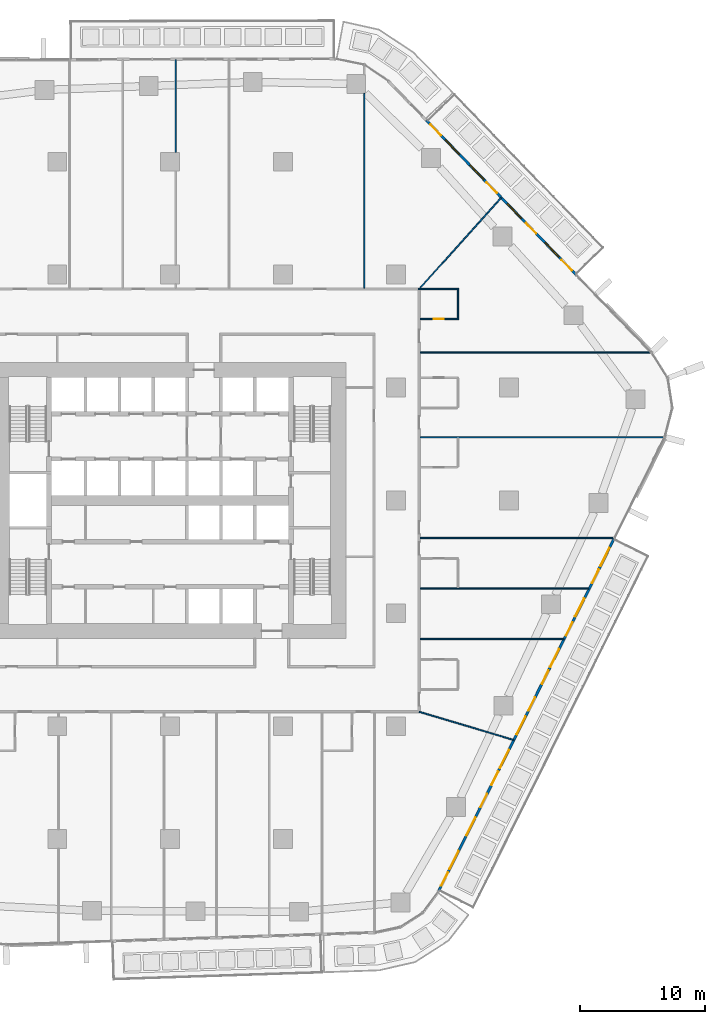
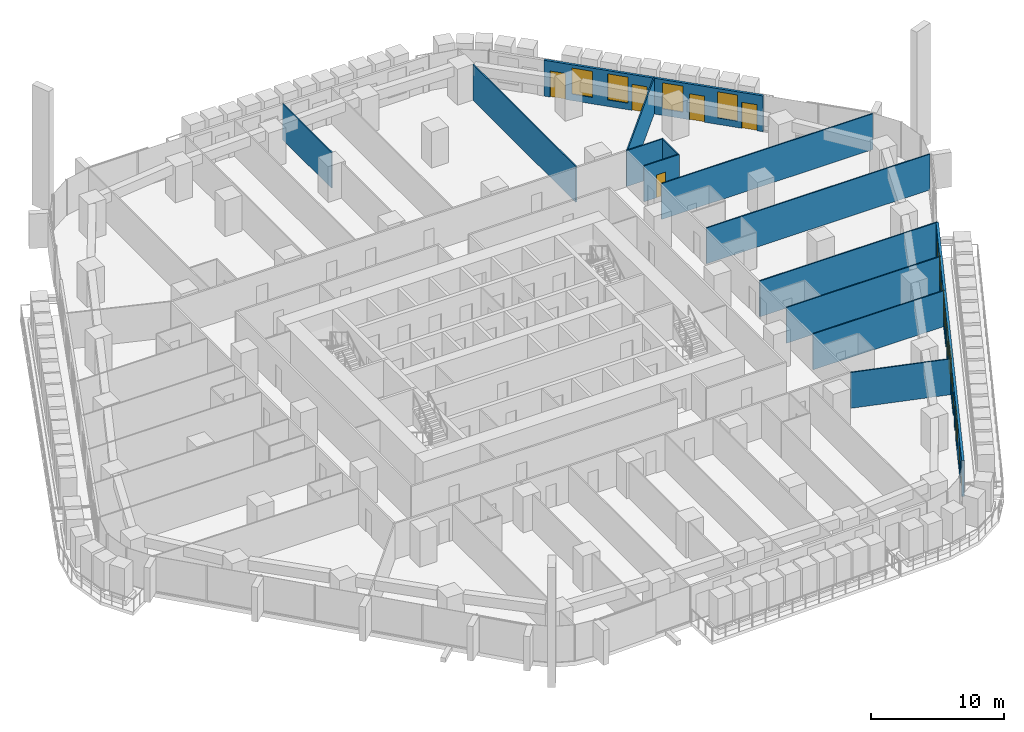
# One storey, part 18 of 27: 14 walls, 12 doors, 11 windows, 23 openings.
"""IFC4 building model written with IfcOpenShell, lengths in metres."""

from ifc_helpers import new_model, si_unit, direction, frame, frame_2d, origin, place, context, subcontext, project, spatial, rectangle, extrude, material, layer, layer_set, type_object, element, fill, save


model = new_model("IFC4")

# Units and contexts
model_context = context("Model", 3, precision=1e-05, world=origin(), true_north=direction((0.0, 1.0)))
body_context = subcontext(model_context, "Body", "Model", "MODEL_VIEW")
ifc_project = project(units=[si_unit("LENGTHUNIT", "METRE"), si_unit("AREAUNIT", "SQUARE_METRE"), si_unit("VOLUMEUNIT", "CUBIC_METRE"), si_unit("PLANEANGLEUNIT", "RADIAN"), si_unit("MASSUNIT", "GRAM", prefix="KILO")], contexts=[model_context])

# Site, building, storey
site_placement = place(None, origin())
site = spatial("IfcSite", under=ifc_project, at=site_placement, CompositionType="ELEMENT")
building_placement = place(site_placement, origin())
building = spatial("IfcBuilding", under=site, at=building_placement, Name="Dongbaek Canopy Tower", CompositionType="ELEMENT")
storey_placement = place(building_placement, frame((0.0, 0.0, 55.10009765625)))
storey = spatial("IfcBuildingStorey", under=building, at=storey_placement, Name="L09", CompositionType="ELEMENT", Elevation=55.10009765625)

# Walls
ifc_material_1 = material(Name="Gypsum board partition, steel stud, 2 x 12.5 mm board", Category="steel")
ifc_layer_1 = layer(ifc_material_1, 0.10009765625)
ifc_layer_set_1 = layer_set([ifc_layer_1], Name="Partition 100 gypsum board")
wall_type_1 = type_object("IfcWallType", Name="Partition 100 gypsum board", PredefinedType="PARTITIONING", material=ifc_layer_set_1)
wall_1_placement = place(storey_placement, frame((19.925048828125, -11.054931640625, 0.0), z_axis=(0.0, 0.0, 1.0), x_axis=(1.0, 0.0, 0.0)))
element("IfcWall", 1, at=wall_1_placement, inside=storey, type_object=wall_type_1, Name="Partition", PredefinedType="PARTITIONING", context=body_context, shape_type="SweptSolid", body=[
    extrude(rectangle(XDim=11.460205078125, YDim=0.10009765625, at=frame_2d((5.72998046875, 0.0))), origin(), (0.0, 0.0, 1.0), 3.2998046875),
])
wall_2_placement = place(storey_placement, frame((19.925048828125, -7.030029296875, 0.0), z_axis=(0.0, 0.0, 1.0), x_axis=(1.0, 0.0, 0.0)))
element("IfcWall", 2, at=wall_2_placement, inside=storey, type_object=wall_type_1, Name="Partition", PredefinedType="PARTITIONING", context=body_context, shape_type="SweptSolid", body=[
    extrude(rectangle(XDim=13.463623046875, YDim=0.10009765625, at=frame_2d((6.73193359375, 0.0))), origin(), (0.0, 0.0, 1.0), 3.2998046875),
])
wall_3_placement = place(storey_placement, frame((19.925048828125, -3.006103515625, 0.0), z_axis=(0.0, 0.0, 1.0), x_axis=(1.0, 0.0, 0.0)))
element("IfcWall", 3, at=wall_3_placement, inside=storey, type_object=wall_type_1, Name="Partition", PredefinedType="PARTITIONING", context=body_context, shape_type="SweptSolid", body=[
    extrude(rectangle(XDim=15.467041015625, YDim=0.10009765625, at=frame_2d((7.7333984375, 0.0))), origin(), (0.0, 0.0, 1.0), 3.2998046875),
])
wall_4_placement = place(storey_placement, frame((19.925048828125, 5.034912109375, 0.0), z_axis=(0.0, 0.0, 1.0), x_axis=(1.0, 0.0, 0.0)))
element("IfcWall", 4, at=wall_4_placement, inside=storey, type_object=wall_type_1, Name="Partition", PredefinedType="PARTITIONING", context=body_context, shape_type="SweptSolid", body=[
    extrude(rectangle(XDim=19.47021484375, YDim=0.10009765625, at=frame_2d((9.735107421875, 0.0))), origin(), (0.0, 0.0, 1.0), 3.2998046875),
])
wall_5_placement = place(storey_placement, frame((19.925048828125, 11.787109375, 0.0), z_axis=(0.0, 0.0, 1.0), x_axis=(1.0, 0.0, 0.0)))
element("IfcWall", 5, at=wall_5_placement, inside=storey, type_object=wall_type_1, Name="Partition", PredefinedType="PARTITIONING", context=body_context, shape_type="SweptSolid", body=[
    extrude(rectangle(XDim=18.416748046875, YDim=0.10009765625, at=frame_2d((9.20849609375, 0.0))), origin(), (0.0, 0.0, 1.0), 3.2998046875),
])

# Wall, opening, door
wall_6_placement = place(storey_placement, frame((19.925048828125, 14.449951171875, 0.0), z_axis=(0.0, 0.0, 1.0), x_axis=(1.0, 0.0, 0.0)))
wall_6 = element("IfcWall", 6, at=wall_6_placement, inside=storey, type_object=wall_type_1, Name="Partition", PredefinedType="PARTITIONING", context=body_context, shape_type="SweptSolid", body=[
    extrude(rectangle(XDim=3.074951171875, YDim=0.10009765625, at=frame_2d((1.53759765625, 0.0))), origin(), (0.0, 0.0, 1.0), 3.2998046875),
])
opening_1_placement = place(wall_6_placement, frame((1.074951171875, 0.0, 0.0)))
opening_1 = element("IfcOpeningElement", 7, at=opening_1_placement, cuts=wall_6, Name="Opening L09-D023", PredefinedType="OPENING", context=body_context, shape_type="SweptSolid", body=[
    extrude(rectangle(XDim=0.800048828125, YDim=2.10009765625, at=frame_2d((0.39990234375, 1.050048828125))), frame((0.0, 0.06005859375, 0.0), z_axis=(0.0, -1.0, 0.0), x_axis=(1.0, 0.0, 0.0)), (0.0, 0.0, 1.0), 0.1201171875),
])
ifc_material_2 = material(Name="Timber veneered door leaf", Category="wood")
door_type_1 = type_object("IfcDoorType", Name="En-suite door 800 x 2100", OperationType="SINGLE_SWING_LEFT", PredefinedType="DOOR", material=ifc_material_2)
door_1_placement = place(opening_1_placement, origin())
door_1 = element("IfcDoor", 8, at=door_1_placement, inside=storey, type_object=door_type_1, Name="Door L09-D023", OperationType="SINGLE_SWING_RIGHT", OverallHeight=2.10009765625, OverallWidth=0.800048828125, PredefinedType="DOOR", context=body_context, shape_type="SweptSolid", body=[
    extrude(rectangle(XDim=0.800048828125, YDim=2.10009765625, at=frame_2d((0.39990234375, 1.050048828125))), frame((0.0, 0.02490234375, 0.0), z_axis=(0.0, -1.0, 0.0), x_axis=(1.0, 0.0, 0.0)), (0.0, 0.0, 1.0), 0.050048828125),
])
fill(opening_1, door_1)

# Walls
wall_7_placement = place(storey_placement, frame((19.77490234375, 16.85009765625, 0.0), z_axis=(0.0, 0.0, 1.0), x_axis=(1.0, 0.0, 0.0)))
element("IfcWall", 9, at=wall_7_placement, inside=storey, type_object=wall_type_1, Name="Partition", PredefinedType="PARTITIONING", context=body_context, shape_type="SweptSolid", body=[
    extrude(rectangle(XDim=3.22509765625, YDim=0.10009765625, at=frame_2d((1.612548828125, 0.0))), origin(), (0.0, 0.0, 1.0), 3.2998046875),
])
wall_8_placement = place(storey_placement, frame((19.849853515625, 16.85009765625, 0.0), z_axis=(0.0, 0.0, 1.0), x_axis=(0.668734291705, 0.743501477536, 0.0)))
element("IfcWall", 10, at=wall_8_placement, inside=storey, type_object=wall_type_1, Name="Partition", PredefinedType="PARTITIONING", context=body_context, shape_type="SweptSolid", body=[
    extrude(rectangle(XDim=9.7763671875, YDim=0.10009765625, at=frame_2d((4.88818359375, 0.0))), origin(), (0.0, 0.0, 1.0), 3.2998046875),
])
wall_9_placement = place(storey_placement, frame((22.949951171875, 14.5, 0.0), z_axis=(0.0, 0.0, 1.0), x_axis=(0.0, 1.0, 0.0)))
element("IfcWall", 11, at=wall_9_placement, inside=storey, type_object=wall_type_1, Name="Partition", PredefinedType="PARTITIONING", context=body_context, shape_type="SweptSolid", body=[
    extrude(rectangle(XDim=2.300048828125, YDim=0.10009765625, at=frame_2d((1.14990234375, 0.0))), origin(), (0.0, 0.0, 1.0), 3.2998046875),
])
wall_10_placement = place(storey_placement, frame((15.47509765625, 16.925048828125, 0.0), z_axis=(0.0, 0.0, 1.0), x_axis=(0.0, 1.0, 0.0)))
element("IfcWall", 12, at=wall_10_placement, inside=storey, type_object=wall_type_1, Name="Partition", PredefinedType="PARTITIONING", context=body_context, shape_type="SweptSolid", body=[
    extrude(rectangle(XDim=15.51904296875, YDim=0.10009765625, at=frame_2d((7.759521484375, 0.0))), origin(), (0.0, 0.0, 1.0), 3.2998046875),
])
wall_11_placement = place(storey_placement, frame((0.450927734375, 27.75, 0.0), z_axis=(0.0, 0.0, 1.0), x_axis=(0.0, 1.0, 0.0)))
element("IfcWall", 13, at=wall_11_placement, inside=storey, type_object=wall_type_1, Name="Partition", PredefinedType="PARTITIONING", context=body_context, shape_type="SweptSolid", body=[
    extrude(rectangle(XDim=7.388671875, YDim=0.10009765625, at=frame_2d((3.6943359375, 0.0))), origin(), (0.0, 0.0, 1.0), 3.2998046875),
])
wall_12_placement = place(storey_placement, frame((19.849853515625, -16.850341796875, 0.0), z_axis=(0.0, 0.0, 1.0), x_axis=(0.958273131703, -0.285854167464, 0.0)))
element("IfcWall", 14, at=wall_12_placement, inside=storey, type_object=wall_type_1, Name="Partition", PredefinedType="PARTITIONING", context=body_context, shape_type="SweptSolid", body=[
    extrude(rectangle(XDim=7.859130859375, YDim=0.10009765625, at=frame_2d((3.9296875, 0.0))), origin(), (0.0, 0.0, 1.0), 3.2998046875),
])

# Wall, openings, doors, windows
ifc_material_3 = material(Name="Aluminium window wall", Category="aluminium")
ifc_layer_2 = layer(ifc_material_3, 0.199951171875)
ifc_layer_set_2 = layer_set([ifc_layer_2], Name="Window wall 200")
wall_type_2 = type_object("IfcWallType", Name="Window wall 200", PredefinedType="SOLIDWALL", material=ifc_layer_set_2)
wall_13_placement = place(storey_placement, frame((32.388916015625, 17.95703125, 0.0), z_axis=(0.0, 0.0, 1.0), x_axis=(-0.696038792441, 0.718004177855, 0.0)))
wall_13 = element("IfcWall", 15, at=wall_13_placement, inside=storey, type_object=wall_type_2, Name="Window wall L09 1", PredefinedType="SOLIDWALL", context=body_context, shape_type="SweptSolid", body=[
    extrude(rectangle(XDim=17.205810546875, YDim=0.199951171875, at=frame_2d((8.60302734375, 0.0))), origin(), (0.0, 0.0, 1.0), 3.2998046875),
])
opening_2_placement = place(wall_13_placement, frame((2.0, 0.0, 0.60009765625)))
opening_2 = element("IfcOpeningElement", 16, at=opening_2_placement, cuts=wall_13, Name="Opening W1", PredefinedType="OPENING", context=body_context, shape_type="SweptSolid", body=[
    extrude(rectangle(XDim=1.60009765625, YDim=2.39990234375, at=frame_2d((0.800048828125, 1.199951171875))), frame((0.0, 0.10986328125, 0.0), z_axis=(0.0, -1.0, 0.0), x_axis=(1.0, 0.0, 0.0)), (0.0, 0.0, 1.0), 0.219970703125),
])
opening_3_placement = place(wall_13_placement, frame((0.5, 0.0, 0.0)))
opening_3 = element("IfcOpeningElement", 17, at=opening_3_placement, cuts=wall_13, Name="Opening L09-B01", PredefinedType="OPENING", context=body_context, shape_type="SweptSolid", body=[
    extrude(rectangle(XDim=1.199951171875, YDim=2.39990234375, at=frame_2d((0.60009765625, 1.199951171875))), frame((0.0, 0.10986328125, 0.0), z_axis=(0.0, -1.0, 0.0), x_axis=(1.0, 0.0, 0.0)), (0.0, 0.0, 1.0), 0.219970703125),
])
opening_4_placement = place(wall_13_placement, frame((6.301513671875, 0.0, 0.60009765625)))
opening_4 = element("IfcOpeningElement", 18, at=opening_4_placement, cuts=wall_13, Name="Opening W1", PredefinedType="OPENING", context=body_context, shape_type="SweptSolid", body=[
    extrude(rectangle(XDim=1.60009765625, YDim=2.39990234375, at=frame_2d((0.800048828125, 1.199951171875))), frame((0.0, 0.10986328125, 0.0), z_axis=(0.0, -1.0, 0.0), x_axis=(1.0, 0.0, 0.0)), (0.0, 0.0, 1.0), 0.219970703125),
])
opening_5_placement = place(wall_13_placement, frame((4.601318359375, 0.0, 0.0)))
opening_5 = element("IfcOpeningElement", 19, at=opening_5_placement, cuts=wall_13, Name="Opening L09-B02", PredefinedType="OPENING", context=body_context, shape_type="SweptSolid", body=[
    extrude(rectangle(XDim=1.199951171875, YDim=2.39990234375, at=frame_2d((0.60009765625, 1.199951171875))), frame((0.0, 0.10986328125, 0.0), z_axis=(0.0, -1.0, 0.0), x_axis=(1.0, 0.0, 0.0)), (0.0, 0.0, 1.0), 0.219970703125),
])
opening_6_placement = place(wall_13_placement, frame((10.602783203125, 0.0, 0.60009765625)))
opening_6 = element("IfcOpeningElement", 20, at=opening_6_placement, cuts=wall_13, Name="Opening W1", PredefinedType="OPENING", context=body_context, shape_type="SweptSolid", body=[
    extrude(rectangle(XDim=1.60009765625, YDim=2.39990234375, at=frame_2d((0.800048828125, 1.199951171875))), frame((0.0, 0.10986328125, 0.0), z_axis=(0.0, -1.0, 0.0), x_axis=(1.0, 0.0, 0.0)), (0.0, 0.0, 1.0), 0.219970703125),
])
opening_7_placement = place(wall_13_placement, frame((9.102783203125, 0.0, 0.0)))
opening_7 = element("IfcOpeningElement", 21, at=opening_7_placement, cuts=wall_13, Name="Opening L09-B03", PredefinedType="OPENING", context=body_context, shape_type="SweptSolid", body=[
    extrude(rectangle(XDim=1.199951171875, YDim=2.39990234375, at=frame_2d((0.60009765625, 1.199951171875))), frame((0.0, 0.10986328125, 0.0), z_axis=(0.0, -1.0, 0.0), x_axis=(1.0, 0.0, 0.0)), (0.0, 0.0, 1.0), 0.219970703125),
])
opening_8_placement = place(wall_13_placement, frame((13.404296875, 0.0, 0.60009765625)))
opening_8 = element("IfcOpeningElement", 22, at=opening_8_placement, cuts=wall_13, Name="Opening W1", PredefinedType="OPENING", context=body_context, shape_type="SweptSolid", body=[
    extrude(rectangle(XDim=1.60009765625, YDim=2.39990234375, at=frame_2d((0.800048828125, 1.199951171875))), frame((0.0, 0.10986328125, 0.0), z_axis=(0.0, -1.0, 0.0), x_axis=(1.0, 0.0, 0.0)), (0.0, 0.0, 1.0), 0.219970703125),
])
opening_9_placement = place(wall_13_placement, frame((15.50439453125, 0.0, 0.0)))
opening_9 = element("IfcOpeningElement", 23, at=opening_9_placement, cuts=wall_13, Name="Opening L09-B04", PredefinedType="OPENING", context=body_context, shape_type="SweptSolid", body=[
    extrude(rectangle(XDim=1.199951171875, YDim=2.39990234375, at=frame_2d((0.60009765625, 1.199951171875))), frame((0.0, 0.10986328125, 0.0), z_axis=(0.0, -1.0, 0.0), x_axis=(1.0, 0.0, 0.0)), (0.0, 0.0, 1.0), 0.219970703125),
])
ifc_material_4 = material(Name="Clear glazing in aluminium frame", Category="aluminium")
door_type_2 = type_object("IfcDoorType", Name="Balcony door BD1 1200 x 2400", OperationType="SLIDING_TO_LEFT", PredefinedType="DOOR", material=ifc_material_4)
door_2_placement = place(opening_3_placement, origin())
door_2 = element("IfcDoor", 24, at=door_2_placement, inside=storey, type_object=door_type_2, Name="Balcony door L09-B01", OperationType="SLIDING_TO_LEFT", OverallHeight=2.39990234375, OverallWidth=1.199951171875, PredefinedType="DOOR", context=body_context, shape_type="SweptSolid", body=[
    extrude(rectangle(XDim=1.199951171875, YDim=2.39990234375, at=frame_2d((0.60009765625, 1.199951171875))), frame((0.0, 0.02490234375, 0.0), z_axis=(0.0, -1.0, 0.0), x_axis=(1.0, 0.0, 0.0)), (0.0, 0.0, 1.0), 0.050048828125),
])
fill(opening_3, door_2)
door_3_placement = place(opening_5_placement, origin())
door_3 = element("IfcDoor", 25, at=door_3_placement, inside=storey, type_object=door_type_2, Name="Balcony door L09-B02", OperationType="SLIDING_TO_LEFT", OverallHeight=2.39990234375, OverallWidth=1.199951171875, PredefinedType="DOOR", context=body_context, shape_type="SweptSolid", body=[
    extrude(rectangle(XDim=1.199951171875, YDim=2.39990234375, at=frame_2d((0.60009765625, 1.199951171875))), frame((0.0, 0.02490234375, 0.0), z_axis=(0.0, -1.0, 0.0), x_axis=(1.0, 0.0, 0.0)), (0.0, 0.0, 1.0), 0.050048828125),
])
fill(opening_5, door_3)
door_4_placement = place(opening_7_placement, origin())
door_4 = element("IfcDoor", 26, at=door_4_placement, inside=storey, type_object=door_type_2, Name="Balcony door L09-B03", OperationType="SLIDING_TO_LEFT", OverallHeight=2.39990234375, OverallWidth=1.199951171875, PredefinedType="DOOR", context=body_context, shape_type="SweptSolid", body=[
    extrude(rectangle(XDim=1.199951171875, YDim=2.39990234375, at=frame_2d((0.60009765625, 1.199951171875))), frame((0.0, 0.02490234375, 0.0), z_axis=(0.0, -1.0, 0.0), x_axis=(1.0, 0.0, 0.0)), (0.0, 0.0, 1.0), 0.050048828125),
])
fill(opening_7, door_4)
door_5_placement = place(opening_9_placement, origin())
door_5 = element("IfcDoor", 27, at=door_5_placement, inside=storey, type_object=door_type_2, Name="Balcony door L09-B04", OperationType="SLIDING_TO_LEFT", OverallHeight=2.39990234375, OverallWidth=1.199951171875, PredefinedType="DOOR", context=body_context, shape_type="SweptSolid", body=[
    extrude(rectangle(XDim=1.199951171875, YDim=2.39990234375, at=frame_2d((0.60009765625, 1.199951171875))), frame((0.0, 0.02490234375, 0.0), z_axis=(0.0, -1.0, 0.0), x_axis=(1.0, 0.0, 0.0)), (0.0, 0.0, 1.0), 0.050048828125),
])
fill(opening_9, door_5)
ifc_material_5 = material(Name="Clear glazing in aluminium frame", Category="aluminium")
window_type = type_object("IfcWindowType", Name="Window W1 1600 x 2400", PartitioningType="SINGLE_PANEL", PredefinedType="WINDOW", material=ifc_material_5)
window_1_placement = place(opening_2_placement, origin())
window_1 = element("IfcWindow", 28, at=window_1_placement, inside=storey, type_object=window_type, Name="Window L09 1.1", OverallHeight=2.39990234375, OverallWidth=1.60009765625, PartitioningType="SINGLE_PANEL", PredefinedType="WINDOW", context=body_context, shape_type="SweptSolid", body=[
    extrude(rectangle(XDim=1.60009765625, YDim=2.39990234375, at=frame_2d((0.800048828125, 1.199951171875))), frame((0.0, 0.030029296875, 0.0), z_axis=(0.0, -1.0, 0.0), x_axis=(1.0, 0.0, 0.0)), (0.0, 0.0, 1.0), 0.06005859375),
])
fill(opening_2, window_1)
window_2_placement = place(opening_4_placement, origin())
window_2 = element("IfcWindow", 29, at=window_2_placement, inside=storey, type_object=window_type, Name="Window L09 1.2", OverallHeight=2.39990234375, OverallWidth=1.60009765625, PartitioningType="SINGLE_PANEL", PredefinedType="WINDOW", context=body_context, shape_type="SweptSolid", body=[
    extrude(rectangle(XDim=1.60009765625, YDim=2.39990234375, at=frame_2d((0.800048828125, 1.199951171875))), frame((0.0, 0.030029296875, 0.0), z_axis=(0.0, -1.0, 0.0), x_axis=(1.0, 0.0, 0.0)), (0.0, 0.0, 1.0), 0.06005859375),
])
fill(opening_4, window_2)
window_3_placement = place(opening_6_placement, origin())
window_3 = element("IfcWindow", 30, at=window_3_placement, inside=storey, type_object=window_type, Name="Window L09 1.3", OverallHeight=2.39990234375, OverallWidth=1.60009765625, PartitioningType="SINGLE_PANEL", PredefinedType="WINDOW", context=body_context, shape_type="SweptSolid", body=[
    extrude(rectangle(XDim=1.60009765625, YDim=2.39990234375, at=frame_2d((0.800048828125, 1.199951171875))), frame((0.0, 0.030029296875, 0.0), z_axis=(0.0, -1.0, 0.0), x_axis=(1.0, 0.0, 0.0)), (0.0, 0.0, 1.0), 0.06005859375),
])
fill(opening_6, window_3)
window_4_placement = place(opening_8_placement, origin())
window_4 = element("IfcWindow", 31, at=window_4_placement, inside=storey, type_object=window_type, Name="Window L09 1.4", OverallHeight=2.39990234375, OverallWidth=1.60009765625, PartitioningType="SINGLE_PANEL", PredefinedType="WINDOW", context=body_context, shape_type="SweptSolid", body=[
    extrude(rectangle(XDim=1.60009765625, YDim=2.39990234375, at=frame_2d((0.800048828125, 1.199951171875))), frame((0.0, 0.030029296875, 0.0), z_axis=(0.0, -1.0, 0.0), x_axis=(1.0, 0.0, 0.0)), (0.0, 0.0, 1.0), 0.06005859375),
])
fill(opening_8, window_4)

wall_14_placement = place(storey_placement, frame((21.390625, -31.1748046875, 0.0), z_axis=(0.0, 0.0, 1.0), x_axis=(0.445673586032, 0.895195539932, 0.0)))
wall_14 = element("IfcWall", 32, at=wall_14_placement, inside=storey, type_object=wall_type_2, Name="Window wall L09 5", PredefinedType="SOLIDWALL", context=body_context, shape_type="SweptSolid", body=[
    extrude(rectangle(XDim=31.46630859375, YDim=0.199951171875, at=frame_2d((15.733154296875, 0.0))), origin(), (0.0, 0.0, 1.0), 3.2998046875),
])
opening_10_placement = place(wall_14_placement, frame((2.0, 0.0, 0.60009765625)))
opening_10 = element("IfcOpeningElement", 33, at=opening_10_placement, cuts=wall_14, Name="Opening W1", PredefinedType="OPENING", context=body_context, shape_type="SweptSolid", body=[
    extrude(rectangle(XDim=1.60009765625, YDim=2.39990234375, at=frame_2d((0.800048828125, 1.199951171875))), frame((0.0, 0.10986328125, 0.0), z_axis=(0.0, -1.0, 0.0), x_axis=(1.0, 0.0, 0.0)), (0.0, 0.0, 1.0), 0.219970703125),
])
opening_11_placement = place(wall_14_placement, frame((0.5, 0.0, 0.0)))
opening_11 = element("IfcOpeningElement", 34, at=opening_11_placement, cuts=wall_14, Name="Opening L09-B23", PredefinedType="OPENING", context=body_context, shape_type="SweptSolid", body=[
    extrude(rectangle(XDim=1.199951171875, YDim=2.39990234375, at=frame_2d((0.60009765625, 1.199951171875))), frame((0.0, 0.10986328125, 0.0), z_axis=(0.0, -1.0, 0.0), x_axis=(1.0, 0.0, 0.0)), (0.0, 0.0, 1.0), 0.219970703125),
])
opening_12_placement = place(wall_14_placement, frame((4.9951171875, 0.0, 0.60009765625)))
opening_12 = element("IfcOpeningElement", 35, at=opening_12_placement, cuts=wall_14, Name="Opening W1", PredefinedType="OPENING", context=body_context, shape_type="SweptSolid", body=[
    extrude(rectangle(XDim=1.60009765625, YDim=2.39990234375, at=frame_2d((0.800048828125, 1.199951171875))), frame((0.0, 0.10986328125, 0.0), z_axis=(0.0, -1.0, 0.0), x_axis=(1.0, 0.0, 0.0)), (0.0, 0.0, 1.0), 0.219970703125),
])
opening_13_placement = place(wall_14_placement, frame((7.4951171875, 0.0, 0.0)))
opening_13 = element("IfcOpeningElement", 36, at=opening_13_placement, cuts=wall_14, Name="Opening L09-B24", PredefinedType="OPENING", context=body_context, shape_type="SweptSolid", body=[
    extrude(rectangle(XDim=1.199951171875, YDim=2.39990234375, at=frame_2d((0.60009765625, 1.199951171875))), frame((0.0, 0.10986328125, 0.0), z_axis=(0.0, -1.0, 0.0), x_axis=(1.0, 0.0, 0.0)), (0.0, 0.0, 1.0), 0.219970703125),
])
opening_14_placement = place(wall_14_placement, frame((10.990234375, 0.0, 0.60009765625)))
opening_14 = element("IfcOpeningElement", 37, at=opening_14_placement, cuts=wall_14, Name="Opening W1", PredefinedType="OPENING", context=body_context, shape_type="SweptSolid", body=[
    extrude(rectangle(XDim=1.60009765625, YDim=2.39990234375, at=frame_2d((0.800048828125, 1.199951171875))), frame((0.0, 0.10986328125, 0.0), z_axis=(0.0, -1.0, 0.0), x_axis=(1.0, 0.0, 0.0)), (0.0, 0.0, 1.0), 0.219970703125),
])
opening_15_placement = place(wall_14_placement, frame((9.490234375, 0.0, 0.0)))
opening_15 = element("IfcOpeningElement", 38, at=opening_15_placement, cuts=wall_14, Name="Opening L09-B25", PredefinedType="OPENING", context=body_context, shape_type="SweptSolid", body=[
    extrude(rectangle(XDim=1.199951171875, YDim=2.39990234375, at=frame_2d((0.60009765625, 1.199951171875))), frame((0.0, 0.10986328125, 0.0), z_axis=(0.0, -1.0, 0.0), x_axis=(1.0, 0.0, 0.0)), (0.0, 0.0, 1.0), 0.219970703125),
])
opening_16_placement = place(wall_14_placement, frame((13.985595703125, 0.0, 0.60009765625)))
opening_16 = element("IfcOpeningElement", 39, at=opening_16_placement, cuts=wall_14, Name="Opening W1", PredefinedType="OPENING", context=body_context, shape_type="SweptSolid", body=[
    extrude(rectangle(XDim=1.60009765625, YDim=2.39990234375, at=frame_2d((0.800048828125, 1.199951171875))), frame((0.0, 0.10986328125, 0.0), z_axis=(0.0, -1.0, 0.0), x_axis=(1.0, 0.0, 0.0)), (0.0, 0.0, 1.0), 0.219970703125),
])
opening_17_placement = place(wall_14_placement, frame((16.08544921875, 0.0, 0.0)))
opening_17 = element("IfcOpeningElement", 40, at=opening_17_placement, cuts=wall_14, Name="Opening L09-B26", PredefinedType="OPENING", context=body_context, shape_type="SweptSolid", body=[
    extrude(rectangle(XDim=1.199951171875, YDim=2.39990234375, at=frame_2d((0.60009765625, 1.199951171875))), frame((0.0, 0.10986328125, 0.0), z_axis=(0.0, -1.0, 0.0), x_axis=(1.0, 0.0, 0.0)), (0.0, 0.0, 1.0), 0.219970703125),
])
opening_18_placement = place(wall_14_placement, frame((19.980712890625, 0.0, 0.60009765625)))
opening_18 = element("IfcOpeningElement", 41, at=opening_18_placement, cuts=wall_14, Name="Opening W1", PredefinedType="OPENING", context=body_context, shape_type="SweptSolid", body=[
    extrude(rectangle(XDim=1.60009765625, YDim=2.39990234375, at=frame_2d((0.800048828125, 1.199951171875))), frame((0.0, 0.10986328125, 0.0), z_axis=(0.0, -1.0, 0.0), x_axis=(1.0, 0.0, 0.0)), (0.0, 0.0, 1.0), 0.219970703125),
])
opening_19_placement = place(wall_14_placement, frame((18.480712890625, 0.0, 0.0)))
opening_19 = element("IfcOpeningElement", 42, at=opening_19_placement, cuts=wall_14, Name="Opening L09-B27", PredefinedType="OPENING", context=body_context, shape_type="SweptSolid", body=[
    extrude(rectangle(XDim=1.199951171875, YDim=2.39990234375, at=frame_2d((0.60009765625, 1.199951171875))), frame((0.0, 0.10986328125, 0.0), z_axis=(0.0, -1.0, 0.0), x_axis=(1.0, 0.0, 0.0)), (0.0, 0.0, 1.0), 0.219970703125),
])
opening_20_placement = place(wall_14_placement, frame((24.475830078125, 0.0, 0.60009765625)))
opening_20 = element("IfcOpeningElement", 43, at=opening_20_placement, cuts=wall_14, Name="Opening W1", PredefinedType="OPENING", context=body_context, shape_type="SweptSolid", body=[
    extrude(rectangle(XDim=1.60009765625, YDim=2.39990234375, at=frame_2d((0.800048828125, 1.199951171875))), frame((0.0, 0.10986328125, 0.0), z_axis=(0.0, -1.0, 0.0), x_axis=(1.0, 0.0, 0.0)), (0.0, 0.0, 1.0), 0.219970703125),
])
opening_21_placement = place(wall_14_placement, frame((22.77587890625, 0.0, 0.0)))
opening_21 = element("IfcOpeningElement", 44, at=opening_21_placement, cuts=wall_14, Name="Opening L09-B28", PredefinedType="OPENING", context=body_context, shape_type="SweptSolid", body=[
    extrude(rectangle(XDim=1.199951171875, YDim=2.39990234375, at=frame_2d((0.60009765625, 1.199951171875))), frame((0.0, 0.10986328125, 0.0), z_axis=(0.0, -1.0, 0.0), x_axis=(1.0, 0.0, 0.0)), (0.0, 0.0, 1.0), 0.219970703125),
])
opening_22_placement = place(wall_14_placement, frame((28.970947265625, 0.0, 0.60009765625)))
opening_22 = element("IfcOpeningElement", 45, at=opening_22_placement, cuts=wall_14, Name="Opening W1", PredefinedType="OPENING", context=body_context, shape_type="SweptSolid", body=[
    extrude(rectangle(XDim=1.60009765625, YDim=2.39990234375, at=frame_2d((0.800048828125, 1.199951171875))), frame((0.0, 0.10986328125, 0.0), z_axis=(0.0, -1.0, 0.0), x_axis=(1.0, 0.0, 0.0)), (0.0, 0.0, 1.0), 0.219970703125),
])
opening_23_placement = place(wall_14_placement, frame((27.470947265625, 0.0, 0.0)))
opening_23 = element("IfcOpeningElement", 46, at=opening_23_placement, cuts=wall_14, Name="Opening L09-B29", PredefinedType="OPENING", context=body_context, shape_type="SweptSolid", body=[
    extrude(rectangle(XDim=1.199951171875, YDim=2.39990234375, at=frame_2d((0.60009765625, 1.199951171875))), frame((0.0, 0.10986328125, 0.0), z_axis=(0.0, -1.0, 0.0), x_axis=(1.0, 0.0, 0.0)), (0.0, 0.0, 1.0), 0.219970703125),
])
door_6_placement = place(opening_11_placement, origin())
door_6 = element("IfcDoor", 47, at=door_6_placement, inside=storey, type_object=door_type_2, Name="Balcony door L09-B23", OperationType="SLIDING_TO_LEFT", OverallHeight=2.39990234375, OverallWidth=1.199951171875, PredefinedType="DOOR", context=body_context, shape_type="SweptSolid", body=[
    extrude(rectangle(XDim=1.199951171875, YDim=2.39990234375, at=frame_2d((0.60009765625, 1.199951171875))), frame((0.0, 0.02490234375, 0.0), z_axis=(0.0, -1.0, 0.0), x_axis=(1.0, 0.0, 0.0)), (0.0, 0.0, 1.0), 0.050048828125),
])
fill(opening_11, door_6)
door_7_placement = place(opening_13_placement, origin())
door_7 = element("IfcDoor", 48, at=door_7_placement, inside=storey, type_object=door_type_2, Name="Balcony door L09-B24", OperationType="SLIDING_TO_LEFT", OverallHeight=2.39990234375, OverallWidth=1.199951171875, PredefinedType="DOOR", context=body_context, shape_type="SweptSolid", body=[
    extrude(rectangle(XDim=1.199951171875, YDim=2.39990234375, at=frame_2d((0.60009765625, 1.199951171875))), frame((0.0, 0.02490234375, 0.0), z_axis=(0.0, -1.0, 0.0), x_axis=(1.0, 0.0, 0.0)), (0.0, 0.0, 1.0), 0.050048828125),
])
fill(opening_13, door_7)
door_8_placement = place(opening_15_placement, origin())
door_8 = element("IfcDoor", 49, at=door_8_placement, inside=storey, type_object=door_type_2, Name="Balcony door L09-B25", OperationType="SLIDING_TO_LEFT", OverallHeight=2.39990234375, OverallWidth=1.199951171875, PredefinedType="DOOR", context=body_context, shape_type="SweptSolid", body=[
    extrude(rectangle(XDim=1.199951171875, YDim=2.39990234375, at=frame_2d((0.60009765625, 1.199951171875))), frame((0.0, 0.02490234375, 0.0), z_axis=(0.0, -1.0, 0.0), x_axis=(1.0, 0.0, 0.0)), (0.0, 0.0, 1.0), 0.050048828125),
])
fill(opening_15, door_8)
door_9_placement = place(opening_17_placement, origin())
door_9 = element("IfcDoor", 50, at=door_9_placement, inside=storey, type_object=door_type_2, Name="Balcony door L09-B26", OperationType="SLIDING_TO_LEFT", OverallHeight=2.39990234375, OverallWidth=1.199951171875, PredefinedType="DOOR", context=body_context, shape_type="SweptSolid", body=[
    extrude(rectangle(XDim=1.199951171875, YDim=2.39990234375, at=frame_2d((0.60009765625, 1.199951171875))), frame((0.0, 0.02490234375, 0.0), z_axis=(0.0, -1.0, 0.0), x_axis=(1.0, 0.0, 0.0)), (0.0, 0.0, 1.0), 0.050048828125),
])
fill(opening_17, door_9)
door_10_placement = place(opening_19_placement, origin())
door_10 = element("IfcDoor", 51, at=door_10_placement, inside=storey, type_object=door_type_2, Name="Balcony door L09-B27", OperationType="SLIDING_TO_LEFT", OverallHeight=2.39990234375, OverallWidth=1.199951171875, PredefinedType="DOOR", context=body_context, shape_type="SweptSolid", body=[
    extrude(rectangle(XDim=1.199951171875, YDim=2.39990234375, at=frame_2d((0.60009765625, 1.199951171875))), frame((0.0, 0.02490234375, 0.0), z_axis=(0.0, -1.0, 0.0), x_axis=(1.0, 0.0, 0.0)), (0.0, 0.0, 1.0), 0.050048828125),
])
fill(opening_19, door_10)
door_11_placement = place(opening_21_placement, origin())
door_11 = element("IfcDoor", 52, at=door_11_placement, inside=storey, type_object=door_type_2, Name="Balcony door L09-B28", OperationType="SLIDING_TO_LEFT", OverallHeight=2.39990234375, OverallWidth=1.199951171875, PredefinedType="DOOR", context=body_context, shape_type="SweptSolid", body=[
    extrude(rectangle(XDim=1.199951171875, YDim=2.39990234375, at=frame_2d((0.60009765625, 1.199951171875))), frame((0.0, 0.02490234375, 0.0), z_axis=(0.0, -1.0, 0.0), x_axis=(1.0, 0.0, 0.0)), (0.0, 0.0, 1.0), 0.050048828125),
])
fill(opening_21, door_11)
door_12_placement = place(opening_23_placement, origin())
door_12 = element("IfcDoor", 53, at=door_12_placement, inside=storey, type_object=door_type_2, Name="Balcony door L09-B29", OperationType="SLIDING_TO_LEFT", OverallHeight=2.39990234375, OverallWidth=1.199951171875, PredefinedType="DOOR", context=body_context, shape_type="SweptSolid", body=[
    extrude(rectangle(XDim=1.199951171875, YDim=2.39990234375, at=frame_2d((0.60009765625, 1.199951171875))), frame((0.0, 0.02490234375, 0.0), z_axis=(0.0, -1.0, 0.0), x_axis=(1.0, 0.0, 0.0)), (0.0, 0.0, 1.0), 0.050048828125),
])
fill(opening_23, door_12)
window_5_placement = place(opening_10_placement, origin())
window_5 = element("IfcWindow", 54, at=window_5_placement, inside=storey, type_object=window_type, Name="Window L09 5.1", OverallHeight=2.39990234375, OverallWidth=1.60009765625, PartitioningType="SINGLE_PANEL", PredefinedType="WINDOW", context=body_context, shape_type="SweptSolid", body=[
    extrude(rectangle(XDim=1.60009765625, YDim=2.39990234375, at=frame_2d((0.800048828125, 1.199951171875))), frame((0.0, 0.030029296875, 0.0), z_axis=(0.0, -1.0, 0.0), x_axis=(1.0, 0.0, 0.0)), (0.0, 0.0, 1.0), 0.06005859375),
])
fill(opening_10, window_5)
window_6_placement = place(opening_12_placement, origin())
window_6 = element("IfcWindow", 55, at=window_6_placement, inside=storey, type_object=window_type, Name="Window L09 5.2", OverallHeight=2.39990234375, OverallWidth=1.60009765625, PartitioningType="SINGLE_PANEL", PredefinedType="WINDOW", context=body_context, shape_type="SweptSolid", body=[
    extrude(rectangle(XDim=1.60009765625, YDim=2.39990234375, at=frame_2d((0.800048828125, 1.199951171875))), frame((0.0, 0.030029296875, 0.0), z_axis=(0.0, -1.0, 0.0), x_axis=(1.0, 0.0, 0.0)), (0.0, 0.0, 1.0), 0.06005859375),
])
fill(opening_12, window_6)
window_7_placement = place(opening_14_placement, origin())
window_7 = element("IfcWindow", 56, at=window_7_placement, inside=storey, type_object=window_type, Name="Window L09 5.3", OverallHeight=2.39990234375, OverallWidth=1.60009765625, PartitioningType="SINGLE_PANEL", PredefinedType="WINDOW", context=body_context, shape_type="SweptSolid", body=[
    extrude(rectangle(XDim=1.60009765625, YDim=2.39990234375, at=frame_2d((0.800048828125, 1.199951171875))), frame((0.0, 0.030029296875, 0.0), z_axis=(0.0, -1.0, 0.0), x_axis=(1.0, 0.0, 0.0)), (0.0, 0.0, 1.0), 0.06005859375),
])
fill(opening_14, window_7)
window_8_placement = place(opening_16_placement, origin())
window_8 = element("IfcWindow", 57, at=window_8_placement, inside=storey, type_object=window_type, Name="Window L09 5.4", OverallHeight=2.39990234375, OverallWidth=1.60009765625, PartitioningType="SINGLE_PANEL", PredefinedType="WINDOW", context=body_context, shape_type="SweptSolid", body=[
    extrude(rectangle(XDim=1.60009765625, YDim=2.39990234375, at=frame_2d((0.800048828125, 1.199951171875))), frame((0.0, 0.030029296875, 0.0), z_axis=(0.0, -1.0, 0.0), x_axis=(1.0, 0.0, 0.0)), (0.0, 0.0, 1.0), 0.06005859375),
])
fill(opening_16, window_8)
window_9_placement = place(opening_18_placement, origin())
window_9 = element("IfcWindow", 58, at=window_9_placement, inside=storey, type_object=window_type, Name="Window L09 5.5", OverallHeight=2.39990234375, OverallWidth=1.60009765625, PartitioningType="SINGLE_PANEL", PredefinedType="WINDOW", context=body_context, shape_type="SweptSolid", body=[
    extrude(rectangle(XDim=1.60009765625, YDim=2.39990234375, at=frame_2d((0.800048828125, 1.199951171875))), frame((0.0, 0.030029296875, 0.0), z_axis=(0.0, -1.0, 0.0), x_axis=(1.0, 0.0, 0.0)), (0.0, 0.0, 1.0), 0.06005859375),
])
fill(opening_18, window_9)
window_10_placement = place(opening_20_placement, origin())
window_10 = element("IfcWindow", 59, at=window_10_placement, inside=storey, type_object=window_type, Name="Window L09 5.6", OverallHeight=2.39990234375, OverallWidth=1.60009765625, PartitioningType="SINGLE_PANEL", PredefinedType="WINDOW", context=body_context, shape_type="SweptSolid", body=[
    extrude(rectangle(XDim=1.60009765625, YDim=2.39990234375, at=frame_2d((0.800048828125, 1.199951171875))), frame((0.0, 0.030029296875, 0.0), z_axis=(0.0, -1.0, 0.0), x_axis=(1.0, 0.0, 0.0)), (0.0, 0.0, 1.0), 0.06005859375),
])
fill(opening_20, window_10)
window_11_placement = place(opening_22_placement, origin())
window_11 = element("IfcWindow", 60, at=window_11_placement, inside=storey, type_object=window_type, Name="Window L09 5.7", OverallHeight=2.39990234375, OverallWidth=1.60009765625, PartitioningType="SINGLE_PANEL", PredefinedType="WINDOW", context=body_context, shape_type="SweptSolid", body=[
    extrude(rectangle(XDim=1.60009765625, YDim=2.39990234375, at=frame_2d((0.800048828125, 1.199951171875))), frame((0.0, 0.030029296875, 0.0), z_axis=(0.0, -1.0, 0.0), x_axis=(1.0, 0.0, 0.0)), (0.0, 0.0, 1.0), 0.06005859375),
])
fill(opening_22, window_11)

save(model, "model.ifc")
